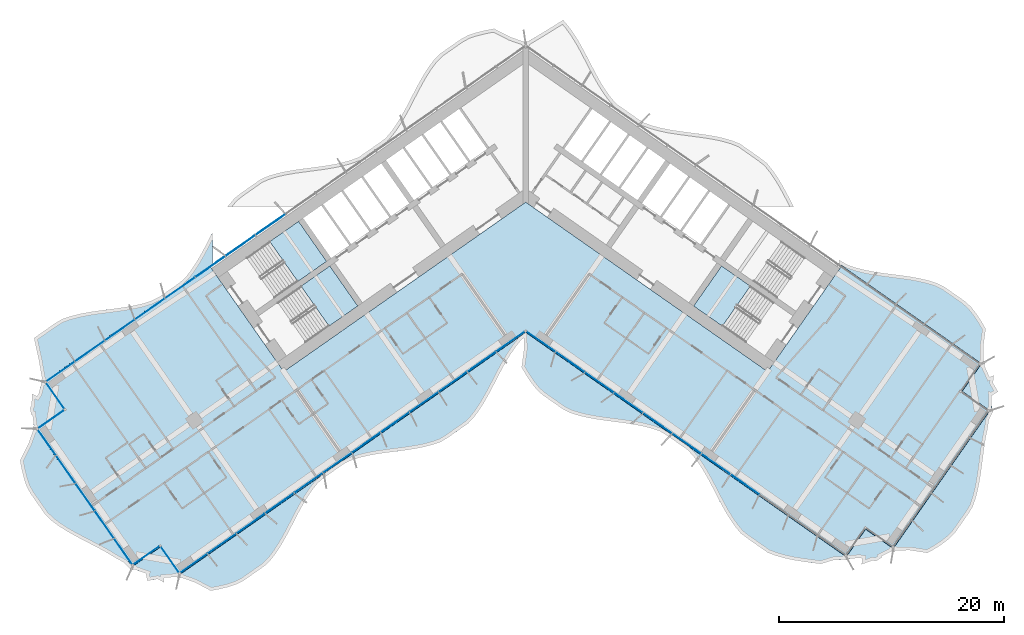
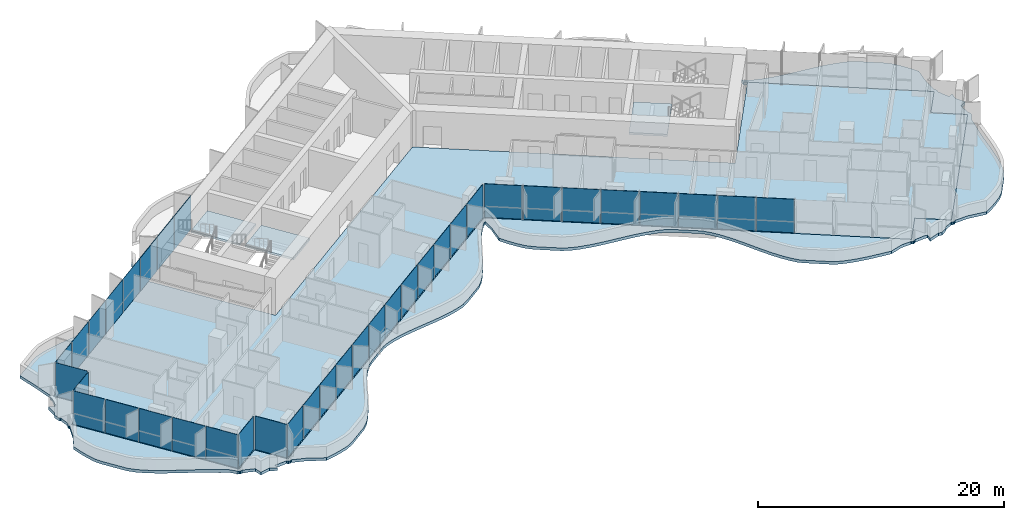
# One storey, part 10 of 23: 37 plates, 5 slabs, 5 elements without a shape of their own.
"""IFC4 building model written with IfcOpenShell, lengths in metres."""

import ifcopenshell
import ifcopenshell.guid

model = None  # the IFC model being written
_history = None  # IfcOwnerHistory: only IFC2X3 demands one
_inside = {}  # id of a spatial element -> (the spatial element, [elements in it])
_under = {}  # id of a project, library or spatial element -> (it, [spatial elements below it])
_declared = {}  # id of a project -> (the project, [libraries it declares])
_typed = {}  # id of a type object -> (the type object, [elements of that type])
_made_of = {}  # id of a material, layer set ... -> (it, [elements and type objects made of it])


def new_model(schema):
    """Start an empty IFC model of exactly this schema.

    Asked for "IFC4X3", IfcOpenShell would pick the latest addendum, in which some entities
    have other attributes; the version numbers below select the first issue.
    IFC2X3 requires an IfcOwnerHistory on every rooted entity: one is made here for all.
    """
    global model, _history
    if schema == "IFC4X3":
        model = ifcopenshell.file(schema_version=(4, 3, 0, 0))
    else:
        model = ifcopenshell.file(schema=schema)
    _inside.clear()
    _under.clear()
    _declared.clear()
    _typed.clear()
    _made_of.clear()
    _history = None
    if model.schema == "IFC2X3":
        org = make("IfcOrganization", Name="unknown")
        user = make(
            "IfcPersonAndOrganization",
            ThePerson=make("IfcPerson", FamilyName="unknown"),
            TheOrganization=org,
        )
        app = make(
            "IfcApplication",
            ApplicationDeveloper=org,
            Version="unknown",
            ApplicationFullName="unknown",
            ApplicationIdentifier="unknown",
        )
        _history = make(
            "IfcOwnerHistory",
            OwningUser=user,
            OwningApplication=app,
            ChangeAction="ADDED",
            CreationDate=0,
        )
    return model


def make(cls, **values):
    """One entity of the class cls with the attributes given. An attribute that is None is left unset."""
    return model.create_entity(
        cls, **{name: value for name, value in values.items() if value is not None}
    )


def rooted(cls, **values):
    """An entity with a GlobalId (a new one), such as an element, a storey or a relation."""
    return make(cls, GlobalId=ifcopenshell.guid.new(), OwnerHistory=_history, **values)


def si_unit(unit_type, name, prefix=None):
    """IfcSIUnit, for example si_unit("LENGTHUNIT", "METRE", prefix="MILLI")."""
    return make("IfcSIUnit", UnitType=unit_type, Prefix=prefix, Name=name)


def assignment(units):
    """IfcUnitAssignment: the units of a project."""
    return None if units is None else make("IfcUnitAssignment", Units=units)


def point(xyz):
    """IfcCartesianPoint."""
    return None if xyz is None else make("IfcCartesianPoint", Coordinates=xyz)


def direction(xyz):
    """IfcDirection."""
    return None if xyz is None else make("IfcDirection", DirectionRatios=xyz)


def frame(location, z_axis=None, x_axis=None):
    """IfcAxis2Placement3D, a coordinate frame: its origin and axes. An axis left out is left unset."""
    return make(
        "IfcAxis2Placement3D",
        Location=point(location),
        Axis=direction(z_axis),
        RefDirection=direction(x_axis),
    )


def frame_2d(location, x_axis=None):
    """IfcAxis2Placement2D, a coordinate frame in the plane: its origin and x axis."""
    return make(
        "IfcAxis2Placement2D", Location=point(location), RefDirection=direction(x_axis)
    )


def origin():
    """The frame at (0, 0, 0) with its axes left unset."""
    return frame((0.0, 0.0, 0.0))


def origin_2d():
    """The frame at (0, 0) in the plane with its x axis left unset."""
    return frame_2d((0.0, 0.0))


def place(relative_to, where):
    """IfcLocalPlacement: puts the frame where relative to a parent placement (None: the world)."""
    return make(
        "IfcLocalPlacement", PlacementRelTo=relative_to, RelativePlacement=where
    )


def context(
    kind, dimensions, precision=None, world=None, true_north=None, identifier=None
):
    """IfcGeometricRepresentationContext, for example the 3D "Model" context."""
    return make(
        "IfcGeometricRepresentationContext",
        ContextIdentifier=identifier,
        ContextType=kind,
        CoordinateSpaceDimension=dimensions,
        Precision=precision,
        WorldCoordinateSystem=world,
        TrueNorth=true_north,
    )


def subcontext(parent, identifier, kind, view, scale=None):
    """IfcGeometricRepresentationSubContext, for example "Body" below "Model"."""
    return make(
        "IfcGeometricRepresentationSubContext",
        ContextIdentifier=identifier,
        ContextType=kind,
        ParentContext=parent,
        TargetScale=scale,
        TargetView=view,
    )


def project(units=None, contexts=None):
    """IfcProject with its units and contexts."""
    return rooted(
        "IfcProject",
        Name="project",
        RepresentationContexts=contexts,
        UnitsInContext=assignment(units),
    )


def spatial(cls, under=None, at=None, **own):
    """A site, building, storey or space (cls), placed at a placement, below another one or the project."""
    s = rooted(cls, ObjectPlacement=at, **own)
    if under is not None:
        _under.setdefault(under.id(), (under, []))[1].append(s)
    return s


def polyline(points):
    """IfcPolyline through the points."""
    return make("IfcPolyline", Points=[point(p) for p in points])


def profile(cls, at=None, kind="AREA", **sizes):
    """A parametric profile (cls). Its sizes go by their IFC names, for example OverallWidth=200.0."""
    return make(cls, ProfileType=kind, Position=at, **sizes)


def rectangle(**sizes):
    """IfcRectangleProfileDef."""
    return profile("IfcRectangleProfileDef", **sizes)


def outline(outer, holes=None, kind="AREA"):
    """IfcArbitraryClosedProfileDef: a profile drawn as a closed curve; with holes, ...WithVoids."""
    if holes is None:
        return make("IfcArbitraryClosedProfileDef", ProfileType=kind, OuterCurve=outer)
    return make(
        "IfcArbitraryProfileDefWithVoids",
        ProfileType=kind,
        OuterCurve=outer,
        InnerCurves=holes,
    )


def extrude(swept, where, along, depth):
    """IfcExtrudedAreaSolid: the profile swept, set in the frame where, extruded along a direction by depth."""
    return make(
        "IfcExtrudedAreaSolid",
        SweptArea=swept,
        Position=where,
        ExtrudedDirection=direction(along),
        Depth=depth,
    )


def shape(context_of_items, identifier, shape_type, items):
    """IfcShapeRepresentation: the items that make up one representation, for example the "Body"."""
    return make(
        "IfcShapeRepresentation",
        ContextOfItems=context_of_items,
        RepresentationIdentifier=identifier,
        RepresentationType=shape_type,
        Items=items,
    )


def material(Name=None, Category=None):
    """IfcMaterial."""
    return make("IfcMaterial", Name=Name, Category=Category)


def layer(
    of_material, thickness, ventilated=None, Name=None, Category=None, Priority=None
):
    """IfcMaterialLayer: one layer of a wall or slab, of a material (None: an air gap)."""
    return make(
        "IfcMaterialLayer",
        Material=of_material,
        LayerThickness=thickness,
        IsVentilated=ventilated,
        Name=Name,
        Category=Category,
        Priority=Priority,
    )


def layer_set(layers, Name=None):
    """IfcMaterialLayerSet."""
    return make("IfcMaterialLayerSet", MaterialLayers=layers, LayerSetName=Name)


def made_of(thing, what):
    """Note that an element or type object is made of a material, layer set ...; save() writes the relation."""
    if what is not None:
        _made_of.setdefault(what.id(), (what, []))[1].append(thing)
    return thing


def type_object(cls, material=None, **own):
    """A type object (cls), such as IfcWallType, which elements share."""
    return made_of(rooted(cls, **own), material)


def element(
    cls,
    number,
    at=None,
    inside=None,
    cuts=None,
    type_object=None,
    material=None,
    context=None,
    identifier="Body",
    shape_type=None,
    held_by="IfcProductDefinitionShape",
    body=None,
    shapes=None,
    **own,
):
    """One element of the class cls, such as IfcWall. Its Tag is "e" and its number.

    at: its placement. inside: the storey or other place that contains it. cuts: it is an
    opening in that element (IfcRelVoidsElement). A single representation is given by context,
    identifier, shape_type and body (its items); several are given by shapes. held_by: the class
    of the entity that holds the representations. save() writes the other relations.
    """
    e = rooted(cls, Tag="e%d" % number, ObjectPlacement=at, **own)
    if body is not None:
        shapes = [shape(context, identifier, shape_type, body)]
    if shapes is not None:
        e.Representation = make(held_by, Representations=shapes)
    if inside is not None:
        _inside.setdefault(inside.id(), (inside, []))[1].append(e)
    if cuts is not None:
        rooted(
            "IfcRelVoidsElement", RelatingBuildingElement=cuts, RelatedOpeningElement=e
        )
    if type_object is not None:
        _typed.setdefault(type_object.id(), (type_object, []))[1].append(e)
    return made_of(e, material)


def aggregate(whole, parts):
    """IfcRelAggregates: a whole, such as a stair, and the parts it consists of."""
    return rooted("IfcRelAggregates", RelatingObject=whole, RelatedObjects=parts)


def save(model, path):
    """Write the relations noted so far, then the file.

    IfcRelAggregates (storeys below a building ...), IfcRelContainedInSpatialStructure (elements
    in a storey), IfcRelDefinesByType, IfcRelAssociatesMaterial and IfcRelDeclares: one each for
    every whole, place, type object, material and project.
    """
    for whole, parts in _under.values():
        aggregate(whole, parts)
    for where, things in _inside.values():
        rooted(
            "IfcRelContainedInSpatialStructure",
            RelatedElements=things,
            RelatingStructure=where,
        )
    for kind, things in _typed.values():
        rooted("IfcRelDefinesByType", RelatedObjects=things, RelatingType=kind)
    for what, things in _made_of.values():
        rooted("IfcRelAssociatesMaterial", RelatedObjects=things, RelatingMaterial=what)
    for by, libraries in _declared.values():
        rooted("IfcRelDeclares", RelatingContext=by, RelatedDefinitions=libraries)
    model.write(path)


model = new_model("IFC4")

# Units and contexts
model_context = context("Model", 3, precision=1e-05, world=origin(), true_north=direction((0.0, 1.0)))
body_context = subcontext(model_context, "Body", "Model", "MODEL_VIEW")
ifc_project = project(units=[si_unit("LENGTHUNIT", "METRE"), si_unit("AREAUNIT", "SQUARE_METRE"), si_unit("VOLUMEUNIT", "CUBIC_METRE"), si_unit("PLANEANGLEUNIT", "RADIAN"), si_unit("MASSUNIT", "GRAM", prefix="KILO")], contexts=[model_context])

# Site, building, storey
site_placement = place(None, origin())
site = spatial("IfcSite", under=ifc_project, at=site_placement, CompositionType="ELEMENT")
building_placement = place(site_placement, origin())
building = spatial("IfcBuilding", under=site, at=building_placement, Name="Tel Ilan Convention Tower", CompositionType="ELEMENT")
storey_placement = place(building_placement, frame((0.0, 0.0, 79.699951171875)))
storey = spatial("IfcBuildingStorey", under=building, at=storey_placement, Name="L15", CompositionType="ELEMENT", Elevation=79.699951171875)

# Curtain wall, plates
ifc_material_1 = material(Name="Aluminium, bronze anodised", Category="aluminium")
curtain_wall_type_1 = type_object("IfcCurtainWallType", Name="CW1 UNITISED CURTAIN WALL, HOTEL TINTED GLASS", PredefinedType="NOTDEFINED", material=ifc_material_1)
curtain_wall_1_placement = place(storey_placement, origin())
curtain_wall_1 = element("IfcCurtainWall", 1, at=curtain_wall_1_placement, inside=storey, type_object=curtain_wall_type_1, Name="Curtain wall CW1-15.02", PredefinedType="NOTDEFINED")
ifc_material_2 = material(Name="Glass, bronze tinted, two-ply unitised", Category="glass")
ifc_layer_1 = layer(ifc_material_2, 0.028076171875)
ifc_layer_set_1 = layer_set([ifc_layer_1], Name="CW HOTEL GLASS PANEL 28")
plate_type_1 = type_object("IfcPlateType", Name="CW HOTEL GLASS PANEL 28", PredefinedType="CURTAIN_PANEL", material=ifc_layer_set_1)
plate_1_placement = place(storey_placement, frame((-30.765869140625, -8.846435546875, 0.0), z_axis=(0.0, 0.0, 1.0), x_axis=(-0.819152044289, -0.573576436351, 0.0)))
plate_1 = element("IfcPlate", 2, at=plate_1_placement, type_object=plate_type_1, Name="Glass panel", PredefinedType="CURTAIN_PANEL", context=body_context, shape_type="SweptSolid", body=[
    extrude(rectangle(XDim=3.2119140625, YDim=0.028076171875, at=origin_2d()), origin(), (0.0, 0.0, 1.0), 3.320068359375),
])
plate_2_placement = place(storey_placement, frame((-33.446044921875, -10.72314453125, 0.0), z_axis=(0.0, 0.0, 1.0), x_axis=(-0.819152044289, -0.573576436351, 0.0)))
plate_2 = element("IfcPlate", 3, at=plate_2_placement, type_object=plate_type_1, Name="Glass panel", PredefinedType="CURTAIN_PANEL", context=body_context, shape_type="SweptSolid", body=[
    extrude(rectangle(XDim=3.2119140625, YDim=0.028076171875, at=origin_2d()), origin(), (0.0, 0.0, 1.0), 3.320068359375),
])
plate_3_placement = place(storey_placement, frame((-36.12646484375, -12.599853515625, 0.0), z_axis=(0.0, 0.0, 1.0), x_axis=(-0.819152044289, -0.573576436351, 0.0)))
plate_3 = element("IfcPlate", 4, at=plate_3_placement, type_object=plate_type_1, Name="Glass panel", PredefinedType="CURTAIN_PANEL", context=body_context, shape_type="SweptSolid", body=[
    extrude(rectangle(XDim=3.2119140625, YDim=0.028076171875, at=origin_2d()), origin(), (0.0, 0.0, 1.0), 3.320068359375),
])
plate_4_placement = place(storey_placement, frame((-38.806640625, -14.4765625, 0.0), z_axis=(0.0, 0.0, 1.0), x_axis=(-0.819152044289, -0.573576436351, 0.0)))
plate_4 = element("IfcPlate", 5, at=plate_4_placement, type_object=plate_type_1, Name="Glass panel", PredefinedType="CURTAIN_PANEL", context=body_context, shape_type="SweptSolid", body=[
    extrude(rectangle(XDim=3.2119140625, YDim=0.028076171875, at=origin_2d()), origin(), (0.0, 0.0, 1.0), 3.320068359375),
])
plate_5_placement = place(storey_placement, frame((-41.448486328125, -16.326416015625, 0.0), z_axis=(0.0, 0.0, 1.0), x_axis=(-0.819152044289, -0.573576436351, 0.0)))
plate_5 = element("IfcPlate", 6, at=plate_5_placement, type_object=plate_type_1, Name="Glass panel", PredefinedType="CURTAIN_PANEL", context=body_context, shape_type="SweptSolid", body=[
    extrude(rectangle(XDim=3.117919921875, YDim=0.028076171875, at=origin_2d()), origin(), (0.0, 0.0, 1.0), 3.320068359375),
])
plate_6_placement = place(storey_placement, frame((-41.90673828125, -18.431640625, 0.0), z_axis=(0.0, 0.0, 1.0), x_axis=(0.573576436351, -0.819152044289, 0.0)))
plate_6 = element("IfcPlate", 7, at=plate_6_placement, type_object=plate_type_1, Name="Glass panel", PredefinedType="CURTAIN_PANEL", context=body_context, shape_type="SweptSolid", body=[
    extrude(rectangle(XDim=2.875, YDim=0.028076171875, at=origin_2d()), origin(), (0.0, 0.0, 1.0), 3.320068359375),
])
plate_7_placement = place(storey_placement, frame((-42.28466796875, -20.57421875, 0.0), z_axis=(0.0, 0.0, 1.0), x_axis=(-0.819152044289, -0.573576436351, 0.0)))
plate_7 = element("IfcPlate", 8, at=plate_7_placement, type_object=plate_type_1, Name="Glass panel", PredefinedType="CURTAIN_PANEL", context=body_context, shape_type="SweptSolid", body=[
    extrude(rectangle(XDim=2.875, YDim=0.028076171875, at=origin_2d()), origin(), (0.0, 0.0, 1.0), 3.320068359375),
])
plate_8_placement = place(storey_placement, frame((-42.65185546875, -22.597900390625, 0.0), z_axis=(0.0, 0.0, 1.0), x_axis=(0.573576436351, -0.819152044289, 0.0)))
plate_8 = element("IfcPlate", 9, at=plate_8_placement, type_object=plate_type_1, Name="Glass panel", PredefinedType="CURTAIN_PANEL", context=body_context, shape_type="SweptSolid", body=[
    extrude(rectangle(XDim=2.845947265625, YDim=0.028076171875, at=origin_2d()), origin(), (0.0, 0.0, 1.0), 3.320068359375),
])
plate_9_placement = place(storey_placement, frame((-40.9580078125, -25.016845703125, 0.0), z_axis=(0.0, 0.0, 1.0), x_axis=(0.573576436351, -0.819152044289, 0.0)))
plate_9 = element("IfcPlate", 10, at=plate_9_placement, type_object=plate_type_1, Name="Glass panel", PredefinedType="CURTAIN_PANEL", context=body_context, shape_type="SweptSolid", body=[
    extrude(rectangle(XDim=2.93994140625, YDim=0.028076171875, at=origin_2d()), origin(), (0.0, 0.0, 1.0), 3.320068359375),
])
plate_10_placement = place(storey_placement, frame((-39.2373046875, -27.474365234375, 0.0), z_axis=(0.0, 0.0, 1.0), x_axis=(0.573576436351, -0.819152044289, 0.0)))
plate_10 = element("IfcPlate", 11, at=plate_10_placement, type_object=plate_type_1, Name="Glass panel", PredefinedType="CURTAIN_PANEL", context=body_context, shape_type="SweptSolid", body=[
    extrude(rectangle(XDim=2.93994140625, YDim=0.028076171875, at=origin_2d()), origin(), (0.0, 0.0, 1.0), 3.320068359375),
])
plate_11_placement = place(storey_placement, frame((-37.5166015625, -29.931884765625, 0.0), z_axis=(0.0, 0.0, 1.0), x_axis=(0.573576436351, -0.819152044289, 0.0)))
plate_11 = element("IfcPlate", 12, at=plate_11_placement, type_object=plate_type_1, Name="Glass panel", PredefinedType="CURTAIN_PANEL", context=body_context, shape_type="SweptSolid", body=[
    extrude(rectangle(XDim=2.93994140625, YDim=0.028076171875, at=origin_2d()), origin(), (0.0, 0.0, 1.0), 3.320068359375),
])
plate_12_placement = place(storey_placement, frame((-35.822998046875, -32.350830078125, 0.0), z_axis=(0.0, 0.0, 1.0), x_axis=(0.573576436351, -0.819152044289, 0.0)))
plate_12 = element("IfcPlate", 13, at=plate_12_placement, type_object=plate_type_1, Name="Glass panel", PredefinedType="CURTAIN_PANEL", context=body_context, shape_type="SweptSolid", body=[
    extrude(rectangle(XDim=2.845947265625, YDim=0.028076171875, at=origin_2d()), origin(), (0.0, 0.0, 1.0), 3.320068359375),
])
plate_13_placement = place(storey_placement, frame((-33.795654296875, -32.69775390625, 0.0), z_axis=(0.0, 0.0, 1.0), x_axis=(0.819152044289, 0.573576436351, 0.0)))
plate_13 = element("IfcPlate", 14, at=plate_13_placement, type_object=plate_type_1, Name="Glass panel", PredefinedType="CURTAIN_PANEL", context=body_context, shape_type="SweptSolid", body=[
    extrude(rectangle(XDim=2.875, YDim=0.028076171875, at=origin_2d()), origin(), (0.0, 0.0, 1.0), 3.320068359375),
])
plate_14_placement = place(storey_placement, frame((-31.653076171875, -33.07568359375, 0.0), z_axis=(0.0, 0.0, 1.0), x_axis=(0.573576436351, -0.819152044289, 0.0)))
plate_14 = element("IfcPlate", 15, at=plate_14_placement, type_object=plate_type_1, Name="Glass panel", PredefinedType="CURTAIN_PANEL", context=body_context, shape_type="SweptSolid", body=[
    extrude(rectangle(XDim=2.875, YDim=0.028076171875, at=origin_2d()), origin(), (0.0, 0.0, 1.0), 3.320068359375),
])
plate_15_placement = place(storey_placement, frame((-29.5732421875, -33.4033203125, 0.0), z_axis=(0.0, 0.0, 1.0), x_axis=(0.819152044289, 0.573576436351, 0.0)))
plate_15 = element("IfcPlate", 16, at=plate_15_placement, type_object=plate_type_1, Name="Glass panel", PredefinedType="CURTAIN_PANEL", context=body_context, shape_type="SweptSolid", body=[
    extrude(rectangle(XDim=2.9833984375, YDim=0.028076171875, at=origin_2d()), origin(), (0.0, 0.0, 1.0), 3.320068359375),
])
plate_16_placement = place(storey_placement, frame((-27.041748046875, -31.630859375, 0.0), z_axis=(0.0, 0.0, 1.0), x_axis=(0.819152044289, 0.573576436351, 0.0)))
plate_16 = element("IfcPlate", 17, at=plate_16_placement, type_object=plate_type_1, Name="Glass panel", PredefinedType="CURTAIN_PANEL", context=body_context, shape_type="SweptSolid", body=[
    extrude(rectangle(XDim=3.077392578125, YDim=0.028076171875, at=origin_2d()), origin(), (0.0, 0.0, 1.0), 3.320068359375),
])
plate_17_placement = place(storey_placement, frame((-24.4716796875, -29.831298828125, 0.0), z_axis=(0.0, 0.0, 1.0), x_axis=(0.819152044289, 0.573576436351, 0.0)))
plate_17 = element("IfcPlate", 18, at=plate_17_placement, type_object=plate_type_1, Name="Glass panel", PredefinedType="CURTAIN_PANEL", context=body_context, shape_type="SweptSolid", body=[
    extrude(rectangle(XDim=3.077392578125, YDim=0.028076171875, at=origin_2d()), origin(), (0.0, 0.0, 1.0), 3.320068359375),
])
plate_18_placement = place(storey_placement, frame((-21.90185546875, -28.031982421875, 0.0), z_axis=(0.0, 0.0, 1.0), x_axis=(0.819152044289, 0.573576436351, 0.0)))
plate_18 = element("IfcPlate", 19, at=plate_18_placement, type_object=plate_type_1, Name="Glass panel", PredefinedType="CURTAIN_PANEL", context=body_context, shape_type="SweptSolid", body=[
    extrude(rectangle(XDim=3.077392578125, YDim=0.028076171875, at=origin_2d()), origin(), (0.0, 0.0, 1.0), 3.320068359375),
])
plate_19_placement = place(storey_placement, frame((-19.33203125, -26.232421875, 0.0), z_axis=(0.0, 0.0, 1.0), x_axis=(0.819152044289, 0.573576436351, 0.0)))
plate_19 = element("IfcPlate", 20, at=plate_19_placement, type_object=plate_type_1, Name="Glass panel", PredefinedType="CURTAIN_PANEL", context=body_context, shape_type="SweptSolid", body=[
    extrude(rectangle(XDim=3.077392578125, YDim=0.028076171875, at=origin_2d()), origin(), (0.0, 0.0, 1.0), 3.320068359375),
])
plate_20_placement = place(storey_placement, frame((-16.761962890625, -24.432861328125, 0.0), z_axis=(0.0, 0.0, 1.0), x_axis=(0.819152044289, 0.573576436351, 0.0)))
plate_20 = element("IfcPlate", 21, at=plate_20_placement, type_object=plate_type_1, Name="Glass panel", PredefinedType="CURTAIN_PANEL", context=body_context, shape_type="SweptSolid", body=[
    extrude(rectangle(XDim=3.077392578125, YDim=0.028076171875, at=origin_2d()), origin(), (0.0, 0.0, 1.0), 3.320068359375),
])
plate_21_placement = place(storey_placement, frame((-14.192138671875, -22.633544921875, 0.0), z_axis=(0.0, 0.0, 1.0), x_axis=(0.819152044289, 0.573576436351, 0.0)))
plate_21 = element("IfcPlate", 22, at=plate_21_placement, type_object=plate_type_1, Name="Glass panel", PredefinedType="CURTAIN_PANEL", context=body_context, shape_type="SweptSolid", body=[
    extrude(rectangle(XDim=3.077392578125, YDim=0.028076171875, at=origin_2d()), origin(), (0.0, 0.0, 1.0), 3.320068359375),
])
plate_22_placement = place(storey_placement, frame((-11.6220703125, -20.833984375, 0.0), z_axis=(0.0, 0.0, 1.0), x_axis=(0.819152044289, 0.573576436351, 0.0)))
plate_22 = element("IfcPlate", 23, at=plate_22_placement, type_object=plate_type_1, Name="Glass panel", PredefinedType="CURTAIN_PANEL", context=body_context, shape_type="SweptSolid", body=[
    extrude(rectangle(XDim=3.077392578125, YDim=0.028076171875, at=origin_2d()), origin(), (0.0, 0.0, 1.0), 3.320068359375),
])
plate_23_placement = place(storey_placement, frame((-9.05224609375, -19.034423828125, 0.0), z_axis=(0.0, 0.0, 1.0), x_axis=(0.819152044289, 0.573576436351, 0.0)))
plate_23 = element("IfcPlate", 24, at=plate_23_placement, type_object=plate_type_1, Name="Glass panel", PredefinedType="CURTAIN_PANEL", context=body_context, shape_type="SweptSolid", body=[
    extrude(rectangle(XDim=3.077392578125, YDim=0.028076171875, at=origin_2d()), origin(), (0.0, 0.0, 1.0), 3.320068359375),
])
plate_24_placement = place(storey_placement, frame((-6.482177734375, -17.23486328125, 0.0), z_axis=(0.0, 0.0, 1.0), x_axis=(0.819152044289, 0.573576436351, 0.0)))
plate_24 = element("IfcPlate", 25, at=plate_24_placement, type_object=plate_type_1, Name="Glass panel", PredefinedType="CURTAIN_PANEL", context=body_context, shape_type="SweptSolid", body=[
    extrude(rectangle(XDim=3.077392578125, YDim=0.028076171875, at=origin_2d()), origin(), (0.0, 0.0, 1.0), 3.320068359375),
])
plate_25_placement = place(storey_placement, frame((-3.912353515625, -15.435546875, 0.0), z_axis=(0.0, 0.0, 1.0), x_axis=(0.819152044289, 0.573576436351, 0.0)))
plate_25 = element("IfcPlate", 26, at=plate_25_placement, type_object=plate_type_1, Name="Glass panel", PredefinedType="CURTAIN_PANEL", context=body_context, shape_type="SweptSolid", body=[
    extrude(rectangle(XDim=3.077392578125, YDim=0.028076171875, at=origin_2d()), origin(), (0.0, 0.0, 1.0), 3.320068359375),
])
plate_26_placement = place(storey_placement, frame((-1.3427734375, -13.63623046875, 0.0), z_axis=(0.0, 0.0, 1.0), x_axis=(0.819152044289, 0.573576436351, 0.0)))
plate_26 = element("IfcPlate", 27, at=plate_26_placement, type_object=plate_type_1, Name="Glass panel", PredefinedType="CURTAIN_PANEL", context=body_context, shape_type="SweptSolid", body=[
    extrude(rectangle(XDim=3.076416015625, YDim=0.028076171875, at=origin_2d()), origin(), (0.0, 0.0, 1.0), 3.320068359375),
])
plate_27_placement = place(storey_placement, frame((1.366943359375, -13.653076171875, 0.0), z_axis=(0.0, 0.0, 1.0), x_axis=(0.819152044289, -0.573576436351, 0.0)))
plate_27 = element("IfcPlate", 28, at=plate_27_placement, type_object=plate_type_1, Name="Glass panel", PredefinedType="CURTAIN_PANEL", context=body_context, shape_type="SweptSolid", body=[
    extrude(rectangle(XDim=3.078857421875, YDim=0.028076171875, at=origin_2d()), origin(), (0.0, 0.0, 1.0), 3.320068359375),
])
plate_28_placement = place(storey_placement, frame((3.949951171875, -15.4619140625, 0.0), z_axis=(0.0, 0.0, 1.0), x_axis=(0.819152044289, -0.573576436351, 0.0)))
plate_28 = element("IfcPlate", 29, at=plate_28_placement, type_object=plate_type_1, Name="Glass panel", PredefinedType="CURTAIN_PANEL", context=body_context, shape_type="SweptSolid", body=[
    extrude(rectangle(XDim=3.10791015625, YDim=0.028076171875, at=origin_2d()), origin(), (0.0, 0.0, 1.0), 3.320068359375),
])
plate_29_placement = place(storey_placement, frame((6.544921875, -17.27880859375, 0.0), z_axis=(0.0, 0.0, 1.0), x_axis=(0.819152044289, -0.573576436351, 0.0)))
plate_29 = element("IfcPlate", 30, at=plate_29_placement, type_object=plate_type_1, Name="Glass panel", PredefinedType="CURTAIN_PANEL", context=body_context, shape_type="SweptSolid", body=[
    extrude(rectangle(XDim=3.10791015625, YDim=0.028076171875, at=origin_2d()), origin(), (0.0, 0.0, 1.0), 3.320068359375),
])
plate_30_placement = place(storey_placement, frame((9.14013671875, -19.095947265625, 0.0), z_axis=(0.0, 0.0, 1.0), x_axis=(0.819152044289, -0.573576436351, 0.0)))
plate_30 = element("IfcPlate", 31, at=plate_30_placement, type_object=plate_type_1, Name="Glass panel", PredefinedType="CURTAIN_PANEL", context=body_context, shape_type="SweptSolid", body=[
    extrude(rectangle(XDim=3.10791015625, YDim=0.028076171875, at=origin_2d()), origin(), (0.0, 0.0, 1.0), 3.320068359375),
])
plate_31_placement = place(storey_placement, frame((11.735107421875, -20.9130859375, 0.0), z_axis=(0.0, 0.0, 1.0), x_axis=(0.819152044289, -0.573576436351, 0.0)))
plate_31 = element("IfcPlate", 32, at=plate_31_placement, type_object=plate_type_1, Name="Glass panel", PredefinedType="CURTAIN_PANEL", context=body_context, shape_type="SweptSolid", body=[
    extrude(rectangle(XDim=3.10791015625, YDim=0.028076171875, at=origin_2d()), origin(), (0.0, 0.0, 1.0), 3.320068359375),
])
plate_32_placement = place(storey_placement, frame((14.330078125, -22.730224609375, 0.0), z_axis=(0.0, 0.0, 1.0), x_axis=(0.819152044289, -0.573576436351, 0.0)))
plate_32 = element("IfcPlate", 33, at=plate_32_placement, type_object=plate_type_1, Name="Glass panel", PredefinedType="CURTAIN_PANEL", context=body_context, shape_type="SweptSolid", body=[
    extrude(rectangle(XDim=3.10791015625, YDim=0.028076171875, at=origin_2d()), origin(), (0.0, 0.0, 1.0), 3.320068359375),
])
plate_33_placement = place(storey_placement, frame((16.92529296875, -24.54736328125, 0.0), z_axis=(0.0, 0.0, 1.0), x_axis=(0.819152044289, -0.573576436351, 0.0)))
plate_33 = element("IfcPlate", 34, at=plate_33_placement, type_object=plate_type_1, Name="Glass panel", PredefinedType="CURTAIN_PANEL", context=body_context, shape_type="SweptSolid", body=[
    extrude(rectangle(XDim=3.10791015625, YDim=0.028076171875, at=origin_2d()), origin(), (0.0, 0.0, 1.0), 3.320068359375),
])
plate_34_placement = place(storey_placement, frame((19.520263671875, -26.3642578125, 0.0), z_axis=(0.0, 0.0, 1.0), x_axis=(0.819152044289, -0.573576436351, 0.0)))
plate_34 = element("IfcPlate", 35, at=plate_34_placement, type_object=plate_type_1, Name="Glass panel", PredefinedType="CURTAIN_PANEL", context=body_context, shape_type="SweptSolid", body=[
    extrude(rectangle(XDim=3.10791015625, YDim=0.028076171875, at=origin_2d()), origin(), (0.0, 0.0, 1.0), 3.320068359375),
])
aggregate(curtain_wall_1, [plate_1, plate_2, plate_3, plate_4, plate_5, plate_6, plate_7, plate_8, plate_9, plate_10, plate_11, plate_12, plate_13, plate_14, plate_15, plate_16, plate_17, plate_18, plate_19, plate_20, plate_21, plate_22, plate_23, plate_24, plate_25, plate_26, plate_27, plate_28, plate_29, plate_30, plate_31, plate_32, plate_33, plate_34])

ifc_material_3 = material(Name="Aluminium, bronze anodised", Category="aluminium")
curtain_wall_type_2 = type_object("IfcCurtainWallType", Name="CW2 STICK CURTAIN WALL, SPANDREL PANELS", PredefinedType="NOTDEFINED", material=ifc_material_3)
curtain_wall_2_placement = place(storey_placement, origin())
curtain_wall_2 = element("IfcCurtainWall", 36, at=curtain_wall_2_placement, inside=storey, type_object=curtain_wall_type_2, Name="Curtain wall CW2-15.01", PredefinedType="NOTDEFINED")
ifc_material_4 = material(Name="Aluminium composite panel, bronze anodised", Category="aluminium")
ifc_layer_2 = layer(ifc_material_4, 0.06005859375)
ifc_layer_set_2 = layer_set([ifc_layer_2], Name="CW SPANDREL PANEL 60")
plate_type_2 = type_object("IfcPlateType", Name="CW SPANDREL PANEL 60", PredefinedType="CURTAIN_PANEL", material=ifc_layer_set_2)
plate_35_placement = place(storey_placement, frame((-22.72509765625, -3.216064453125, 0.0), z_axis=(0.0, 0.0, 1.0), x_axis=(-0.819152044289, -0.573576436351, 0.0)))
plate_35 = element("IfcPlate", 37, at=plate_35_placement, type_object=plate_type_2, Name="Spandrel panel", PredefinedType="CURTAIN_PANEL", context=body_context, shape_type="SweptSolid", body=[
    extrude(rectangle(XDim=3.2119140625, YDim=0.06005859375, at=origin_2d()), origin(), (0.0, 0.0, 1.0), 3.320068359375),
])
plate_36_placement = place(storey_placement, frame((-25.4052734375, -5.0927734375, 0.0), z_axis=(0.0, 0.0, 1.0), x_axis=(-0.819152044289, -0.573576436351, 0.0)))
plate_36 = element("IfcPlate", 38, at=plate_36_placement, type_object=plate_type_2, Name="Spandrel panel", PredefinedType="CURTAIN_PANEL", context=body_context, shape_type="SweptSolid", body=[
    extrude(rectangle(XDim=3.2119140625, YDim=0.06005859375, at=origin_2d()), origin(), (0.0, 0.0, 1.0), 3.320068359375),
])
plate_37_placement = place(storey_placement, frame((-28.08544921875, -6.9697265625, 0.0), z_axis=(0.0, 0.0, 1.0), x_axis=(-0.819152044289, -0.573576436351, 0.0)))
plate_37 = element("IfcPlate", 39, at=plate_37_placement, type_object=plate_type_2, Name="Spandrel panel", PredefinedType="CURTAIN_PANEL", context=body_context, shape_type="SweptSolid", body=[
    extrude(rectangle(XDim=3.2119140625, YDim=0.06005859375, at=origin_2d()), origin(), (0.0, 0.0, 1.0), 3.320068359375),
])
aggregate(curtain_wall_2, [plate_35, plate_36, plate_37])

# Stair, slab
ifc_material_5 = material(Name="Concrete C40/50", Category="concrete")
stair_type = type_object("IfcStairType", Name="Pressurised Exit Stair 20 risers 180 mm", PredefinedType="HALF_TURN_STAIR", material=ifc_material_5)
stair_1_placement = place(storey_placement, origin())
stair_1 = element("IfcStair", 40, at=stair_1_placement, inside=storey, type_object=stair_type, Name="L15 Pressurised Stair S1", PredefinedType="HALF_TURN_STAIR")
ifc_material_6 = material(Name="Concrete C40/50", Category="concrete")
ifc_layer_3 = layer(ifc_material_6, 0.199951171875)
ifc_layer_set_3 = layer_set([ifc_layer_3], Name="Concrete Stair Landing 200 mm C40/50")
slab_type_1 = type_object("IfcSlabType", Name="Concrete Stair Landing 200 mm", PredefinedType="LANDING", material=ifc_layer_set_3)
slab_1_placement = place(storey_placement, frame((0.0, 0.0, 1.60009765625)))
slab_1 = element("IfcSlab", 41, at=slab_1_placement, type_object=slab_type_1, Name="S1 landing 1", PredefinedType="LANDING", context=body_context, shape_type="SweptSolid", body=[
    extrude(outline(polyline([(-20.2958984375, -8.29052734375), (-17.7314453125, -6.494873046875), (-20.226318359375, -2.931640625), (-22.791015625, -4.727294921875), (-20.2958984375, -8.29052734375)])), origin(), (0.0, 0.0, 1.0), 0.199951171875),
])
aggregate(stair_1, [slab_1])

stair_2_placement = place(storey_placement, origin())
stair_2 = element("IfcStair", 42, at=stair_2_placement, inside=storey, type_object=stair_type, Name="L15 Pressurised Stair S2", PredefinedType="HALF_TURN_STAIR")
slab_2_placement = place(storey_placement, frame((0.0, 0.0, 1.60009765625)))
slab_2 = element("IfcSlab", 43, at=slab_2_placement, type_object=slab_type_1, Name="S2 landing 1", PredefinedType="LANDING", context=body_context, shape_type="SweptSolid", body=[
    extrude(outline(polyline([(-17.51416015625, -12.263427734375), (-14.949462890625, -10.4677734375), (-17.444580078125, -6.904541015625), (-20.00927734375, -8.7001953125), (-17.51416015625, -12.263427734375)])), origin(), (0.0, 0.0, 1.0), 0.199951171875),
])
aggregate(stair_2, [slab_2])

stair_3_placement = place(storey_placement, origin())
stair_3 = element("IfcStair", 44, at=stair_3_placement, inside=storey, type_object=stair_type, Name="L15 Pressurised Stair S4", PredefinedType="HALF_TURN_STAIR")
slab_3_placement = place(storey_placement, frame((0.0, 0.0, 1.60009765625)))
slab_3 = element("IfcSlab", 45, at=slab_3_placement, type_object=slab_type_1, Name="S4 landing 1", PredefinedType="LANDING", context=body_context, shape_type="SweptSolid", body=[
    extrude(outline(polyline([(20.00927734375, -8.7001953125), (17.444580078125, -6.904541015625), (14.949462890625, -10.4677734375), (17.51416015625, -12.263427734375), (20.00927734375, -8.7001953125)])), origin(), (0.0, 0.0, 1.0), 0.199951171875),
])
aggregate(stair_3, [slab_3])

# Slabs
ifc_material_7 = material(Name="Concrete C40/50", Category="concrete")
ifc_layer_4 = layer(ifc_material_7, 0.280029296875)
ifc_layer_set_4 = layer_set([ifc_layer_4], Name="Edge Ledge Slab 280 mm C40/50")
slab_type_2 = type_object("IfcSlabType", Name="Edge Ledge Slab 280 mm C40/50", PredefinedType="FLOOR", material=ifc_layer_set_4)
slab_4_placement = place(storey_placement, frame((0.0, 0.0, -0.280029296875)))
element("IfcSlab", 46, at=slab_4_placement, inside=storey, type_object=slab_type_2, Name="L15 edge ledge 1", PredefinedType="FLOOR", context=body_context, shape_type="SweptSolid", body=[
    extrude(outline(polyline([(-32.20068359375, -35.082763671875), (-32.80029296875, -34.77490234375), (-33.688720703125, -34.9423828125), (-33.821533203125, -34.302734375), (-33.810546875, -34.284912109375), (-34.845458984375, -33.921142578125), (-34.8486328125, -33.91650390625), (-34.902587890625, -33.952392578125), (-35.017578125, -33.975341796875), (-35.13232421875, -33.952392578125), (-35.2294921875, -33.887451171875), (-35.258544921875, -33.843994140625), (-35.26318359375, -33.847412109375), (-35.783203125, -33.2958984375), (-36.523681640625, -32.89892578125), (-37.22021484375, -32.470703125), (-37.94970703125, -32.066162109375), (-38.698486328125, -31.6748046875), (-39.452392578125, -31.287353515625), (-40.196533203125, -30.892578125), (-40.91650390625, -30.481201171875), (-41.59912109375, -30.04345703125), (-42.232421875, -29.571533203125), (-42.7802734375, -29.03955078125), (-44.07080078125, -27.1962890625), (-44.438720703125, -26.538330078125), (-44.68408203125, -25.794677734375), (-44.876953125, -25.01416015625), (-45.028564453125, -24.20458984375), (-44.2939453125, -22.77490234375), (-43.866943359375, -21.56005859375), (-43.8623046875, -21.556884765625), (-43.898193359375, -21.502685546875), (-43.921142578125, -21.387939453125), (-43.898193359375, -21.273193359375), (-43.833251953125, -21.17578125), (-43.789794921875, -21.14697265625), (-43.793212890625, -21.142333984375), (-43.909912109375, -20.177978515625), (-44.01318359375, -20.197509765625), (-44.14599609375, -19.55810546875), (-43.9833984375, -19.29150390625), (-43.980224609375, -18.259765625), (-43.50390625, -18.504638671875), (-43.3671875, -18.2802734375), (-43.130126953125, -17.3818359375), (-43.12548828125, -17.378662109375), (-43.16162109375, -17.32470703125), (-43.184326171875, -17.209716796875), (-43.16162109375, -17.094970703125), (-43.096435546875, -16.997802734375), (-43.05322265625, -16.96875), (-43.056396484375, -16.964111328125), (-43.364990234375, -15.219482421875), (-43.78125, -13.321044921875), (-43.168701171875, -12.89208984375), (-41.943603515625, -12.0341796875), (-41.30322265625, -11.64453125), (-40.56787109375, -11.390869140625), (-39.794921875, -11.19091796875), (-38.99169921875, -11.033935546875), (-38.1669921875, -10.90771484375), (-37.33056640625, -10.798583984375), (-36.4921875, -10.69189453125), (-35.66259765625, -10.572998046875), (-34.851318359375, -10.427734375), (-34.067138671875, -10.243408203125), (-33.318603515625, -10.0087890625), (-32.6416015625, -9.671630859375), (-30.8037109375, -8.384765625), (-30.250244140625, -7.87109375), (-29.772216796875, -7.250244140625), (-29.329345703125, -6.57861328125), (-28.91455078125, -5.8671875), (-28.518310546875, -5.129150390625), (-28.131103515625, -4.378173828125), (-27.875, -3.883544921875), (-27.875, -6.7001953125), (-42.884521484375, -17.209716796875), (-41.163818359375, -19.667236328125), (-43.62109375, -21.387939453125), (-35.017578125, -33.67529296875), (-32.56005859375, -31.95458984375), (-30.83935546875, -34.412109375), (0.0, -12.818115234375), (28.545654296875, -32.805908203125), (30.266357421875, -30.3486328125), (32.723876953125, -32.0693359375), (41.327392578125, -19.781982421875), (38.8701171875, -18.061279296875), (40.5908203125, -15.603759765625), (27.875, -6.7001953125), (27.875, -6.333740234375), (28.040283203125, -6.44970703125), (28.68408203125, -6.820068359375), (29.414794921875, -7.0654296875), (30.181884765625, -7.259521484375), (30.97802734375, -7.412109375), (31.79443359375, -7.535400390625), (32.6220703125, -7.64306640625), (33.450927734375, -7.748779296875), (34.27099609375, -7.86669921875), (35.072998046875, -8.0107421875), (35.84814453125, -8.193115234375), (36.5888671875, -8.4248046875), (37.260498046875, -8.755126953125), (39.077880859375, -10.027587890625), (39.63232421875, -10.525390625), (40.108154296875, -11.13525390625), (40.548583984375, -11.795654296875), (40.96044921875, -12.496826171875), (40.743408203125, -14.096435546875), (40.7626953125, -15.358154296875), (40.759521484375, -15.36279296875), (40.802978515625, -15.3916015625), (40.867919921875, -15.489013671875), (40.890869140625, -15.603759765625), (40.867919921875, -15.718505859375), (40.831787109375, -15.772705078125), (40.83642578125, -15.77587890625), (41.29638671875, -16.79443359375), (41.686767578125, -16.65380859375), (41.602294921875, -17.322509765625), (42.063720703125, -18.10009765625), (41.508056640625, -18.443603515625), (41.487548828125, -18.439453125), (41.49951171875, -19.536376953125), (41.496337890625, -19.541015625), (41.53955078125, -19.56982421875), (41.604736328125, -19.667236328125), (41.62744140625, -19.781982421875), (41.604736328125, -19.896728515625), (41.568603515625, -19.95068359375), (41.5732421875, -19.9541015625), (41.24267578125, -20.594482421875), (41.12841796875, -21.386474609375), (40.97021484375, -22.147705078125), (40.841064453125, -22.929443359375), (40.732421875, -23.72509765625), (40.631103515625, -24.5263671875), (40.52490234375, -25.323974609375), (40.40087890625, -26.10888671875), (40.247314453125, -26.87353515625), (40.0537109375, -27.60986328125), (39.810791015625, -28.311767578125), (39.44189453125, -28.925537109375), (38.212890625, -30.680908203125), (37.701904296875, -31.195068359375), (37.104736328125, -31.64892578125), (36.4619140625, -32.07080078125), (35.769775390625, -32.4580078125), (34.16845703125, -32.208740234375), (32.969482421875, -32.241455078125), (32.96484375, -32.238037109375), (32.93603515625, -32.281494140625), (32.838623046875, -32.346435546875), (32.723876953125, -32.369384765625), (32.60888671875, -32.346435546875), (32.554931640625, -32.310302734375), (32.5517578125, -32.31494140625), (31.685546875, -32.75439453125), (31.7392578125, -32.8447265625), (31.18359375, -33.188232421875), (30.877685546875, -33.126708984375), (29.9072265625, -33.476806640625), (29.97412109375, -32.9453125), (29.716796875, -32.8935546875), (28.79150390625, -32.97802734375), (28.78662109375, -32.974853515625), (28.7578125, -33.018310546875), (28.660400390625, -33.083251953125), (28.545654296875, -33.10595703125), (28.430908203125, -33.083251953125), (28.376953125, -33.047119140625), (28.37353515625, -33.0517578125), (27.44921875, -33.079345703125), (26.29443359375, -33.435546875), (25.462646484375, -33.3310546875), (24.635986328125, -33.218994140625), (23.824462890625, -33.08544921875), (23.03662109375, -32.91748046875), (22.281005859375, -32.7041015625), (21.564697265625, -32.434814453125), (19.742431640625, -31.158935546875), (19.1513671875, -30.71044921875), (18.660888671875, -30.1181640625), (18.2080078125, -29.47216796875), (17.785888671875, -28.782470703125), (17.38623046875, -28.060546875), (16.999755859375, -27.31982421875), (16.61669921875, -26.574462890625), (16.2265625, -25.838623046875), (15.8203125, -25.12646484375), (15.388427734375, -24.450439453125), (14.92333984375, -23.822021484375), (14.404296875, -23.2705078125), (12.58251953125, -21.99462890625), (11.9423828125, -21.61572265625), (11.211669921875, -21.366943359375), (10.444091796875, -21.17041015625), (9.647216796875, -21.015625), (8.829345703125, -20.89111328125), (8.0, -20.782958984375), (7.1689453125, -20.677001953125), (6.34619140625, -20.559326171875), (5.54150390625, -20.416015625), (4.763427734375, -20.234375), (4.02001953125, -20.003662109375), (3.343994140625, -19.676513671875), (1.52197265625, -18.400634765625), (0.964599609375, -17.90380859375), (0.4873046875, -17.293212890625), (0.04541015625, -16.631591796875), (-0.367919921875, -15.928955078125), (-0.153564453125, -14.330078125), (-0.16845703125, -13.315185546875), (-0.422119140625, -13.502197265625), (-0.897216796875, -14.110595703125), (-1.346435546875, -14.75634765625), (-1.765380859375, -15.44482421875), (-2.16259765625, -16.16455078125), (-2.547119140625, -16.90234375), (-2.9287109375, -17.644287109375), (-3.3173828125, -18.37646484375), (-3.722412109375, -19.0849609375), (-4.15283203125, -19.757080078125), (-4.616455078125, -20.38232421875), (-5.134033203125, -20.929931640625), (-6.947998046875, -22.2001953125), (-7.584228515625, -22.57861328125), (-8.311279296875, -22.8271484375), (-9.074951171875, -23.023681640625), (-9.867919921875, -23.178466796875), (-10.681640625, -23.30322265625), (-11.507080078125, -23.4111328125), (-12.334716796875, -23.516357421875), (-13.154296875, -23.6328125), (-13.95654296875, -23.774169921875), (-14.732666015625, -23.952880859375), (-15.474853515625, -24.1796875), (-16.154541015625, -24.495849609375), (-17.364013671875, -25.3427734375), (-17.96875, -25.76611328125), (-18.531494140625, -26.249267578125), (-19.010009765625, -26.85302734375), (-19.45263671875, -27.5078125), (-19.86669921875, -28.20361328125), (-20.2607421875, -28.927978515625), (-20.643798828125, -29.66748046875), (-21.02587890625, -30.40869140625), (-21.4169921875, -31.13720703125), (-21.826416015625, -31.839599609375), (-22.262939453125, -32.50341796875), (-22.733642578125, -33.117919921875), (-23.27490234375, -33.632080078125), (-25.0888671875, -34.90234375), (-25.74609375, -35.2509765625), (-26.48095703125, -35.488525390625), (-27.250732421875, -35.676025390625), (-28.049560546875, -35.822265625), (-29.47802734375, -35.069091796875), (-30.667236328125, -34.65771484375), (-30.67041015625, -34.653076171875), (-30.724609375, -34.689208984375), (-30.83935546875, -34.7119140625), (-30.9541015625, -34.689208984375), (-31.051513671875, -34.624267578125), (-31.080322265625, -34.580810546875), (-31.0849609375, -34.583984375), (-32.199462890625, -34.66796875), (-32.20068359375, -35.082763671875)])), origin(), (0.0, 0.0, 1.0), 0.280029296875),
])
ifc_material_8 = material(Name="Concrete C40/50", Category="concrete")
ifc_layer_5 = layer(ifc_material_8, 0.280029296875)
ifc_layer_set_5 = layer_set([ifc_layer_5], Name="Flat Plate Floor Slab 280 mm C40/50")
slab_type_3 = type_object("IfcSlabType", Name="Flat Plate Floor Slab 280 mm C40/50", PredefinedType="FLOOR", material=ifc_layer_set_5)
slab_5_placement = place(storey_placement, frame((0.0, 0.0, -0.280029296875)))
element("IfcSlab", 47, at=slab_5_placement, inside=storey, type_object=slab_type_3, Name="L15 floor slab", PredefinedType="FLOOR", context=body_context, shape_type="SweptSolid", body=[
    extrude(outline(polyline([(21.54345703125, -16.3056640625), (28.1396484375, -6.885498046875), (40.5908203125, -15.603759765625), (38.8701171875, -18.061279296875), (41.327392578125, -19.781982421875), (32.723876953125, -32.0693359375), (30.266357421875, -30.3486328125), (28.545654296875, -32.805908203125), (0.0, -12.818115234375), (-30.83935546875, -34.412109375), (-32.56005859375, -31.95458984375), (-35.017578125, -33.67529296875), (-43.62109375, -21.387939453125), (-41.163818359375, -19.667236328125), (-42.884521484375, -17.209716796875), (-28.1396484375, -6.885498046875), (-21.54345703125, -16.3056640625), (0.0, -1.220703125), (21.54345703125, -16.3056640625)])), origin(), (0.0, 0.0, 1.0), 0.280029296875),
])

save(model, "model.ifc")
